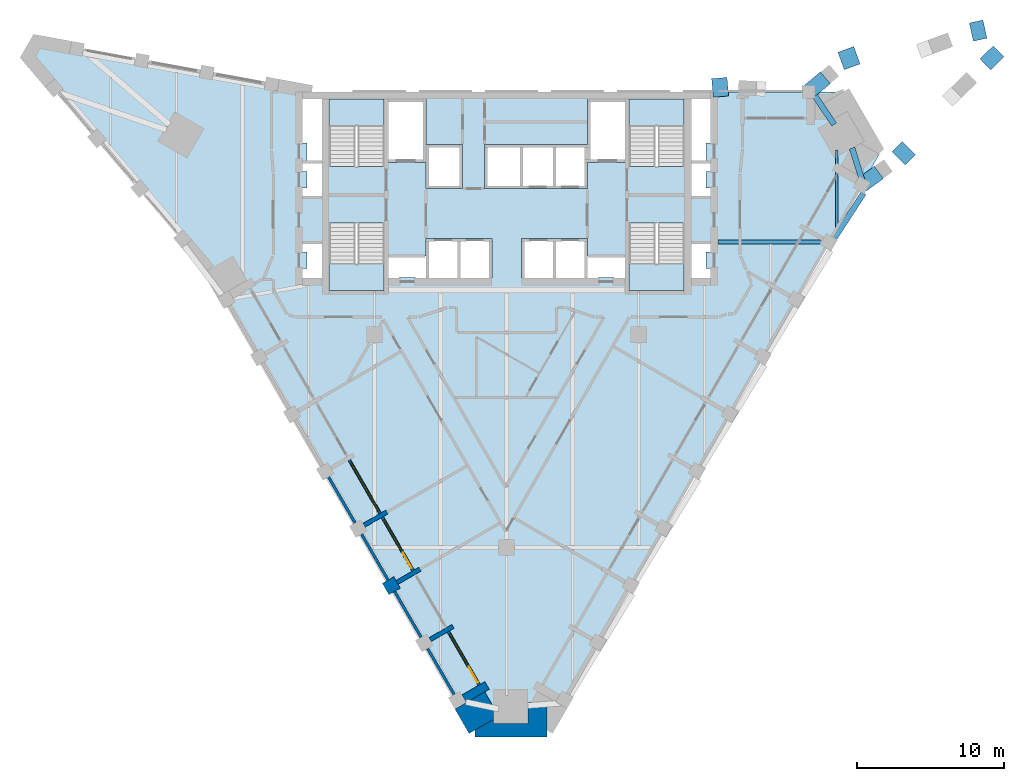
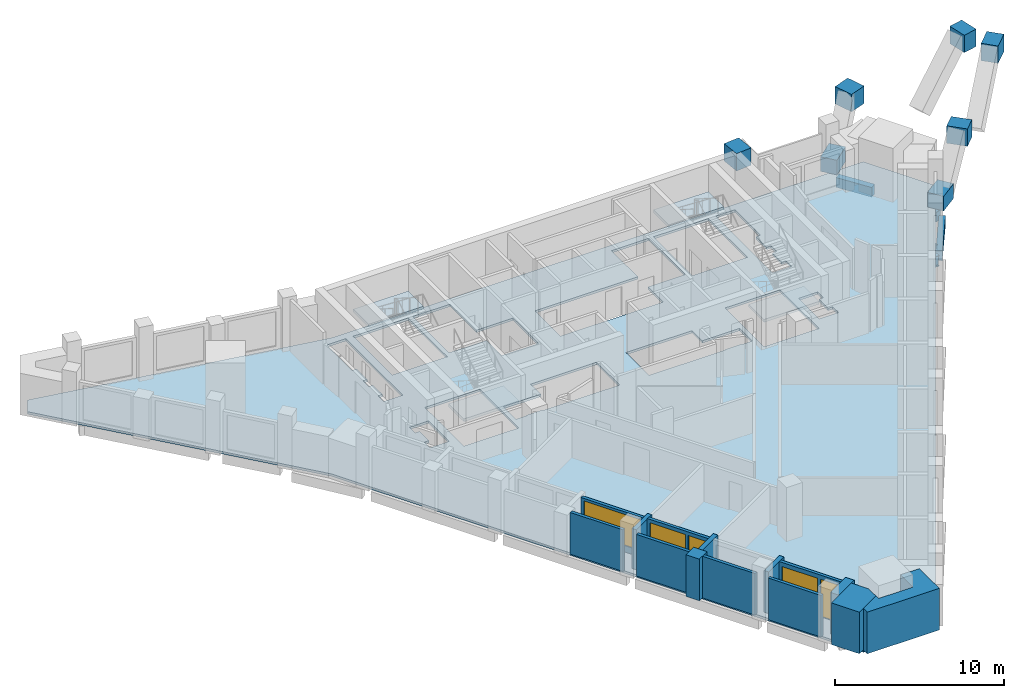
# One storey, part 2 of 9: 14 walls, 12 beams, 5 slabs, 3 windows, 2 doors, 5 openings, 4 elements without a shape of their own.
"""IFC4 building model written with IfcOpenShell, lengths in metres."""

from ifc_helpers import new_model, si_unit, direction, frame, frame_2d, origin, origin_2d, place, context, subcontext, project, spatial, polyline, rectangle, i_section, outline, extrude, material, layer, layer_set, material_profile, profile_set, type_object, element, fill, aggregate, save


model = new_model("IFC4")

# Units and contexts
model_context = context("Model", 3, precision=1e-05, world=origin(), true_north=direction((0.0, 1.0)))
body_context = subcontext(model_context, "Body", "Model", "MODEL_VIEW")
ifc_project = project(units=[si_unit("LENGTHUNIT", "METRE"), si_unit("AREAUNIT", "SQUARE_METRE"), si_unit("VOLUMEUNIT", "CUBIC_METRE"), si_unit("PLANEANGLEUNIT", "RADIAN"), si_unit("MASSUNIT", "GRAM", prefix="KILO")], contexts=[model_context])

# Site, building, storey
site_placement = place(None, origin())
site = spatial("IfcSite", under=ifc_project, at=site_placement, CompositionType="ELEMENT")
building_placement = place(site_placement, origin())
building = spatial("IfcBuilding", under=site, at=building_placement, Name="Calabash Gate Tower", CompositionType="ELEMENT")
storey_placement = place(building_placement, frame((0.0, 0.0, 239.300048828125)))
storey = spatial("IfcBuildingStorey", under=building, at=storey_placement, Name="L57", CompositionType="ELEMENT", Elevation=239.300048828125)

# Beams
ifc_material_1 = material(Name="Concrete C50/60", Category="concrete")
ifc_material_profile_1 = material_profile(ifc_material_1, rectangle(XDim=0.39990234375, YDim=0.699951171875, at=origin_2d()))
ifc_profile_set_1 = profile_set([ifc_material_profile_1], Name="Concrete C50/60")
beam_type_1 = type_object("IfcBeamType", Name="Edge beam RC 400x700 Concrete C50/60", PredefinedType="BEAM", material=ifc_profile_set_1)
beam_1_placement = place(storey_placement, frame((22.333984375, 9.0830078125, -0.52001953125), z_axis=(0.544917784285, 0.838489480178, 0.0), x_axis=(-0.838489480178, 0.544917784285, 0.0)))
element("IfcBeam", 1, at=beam_1_placement, inside=storey, type_object=beam_type_1, Name="Edge beam L57 10", PredefinedType="BEAM", context=body_context, shape_type="SweptSolid", body=[
    extrude(rectangle(XDim=0.39990234375, YDim=0.699951171875, at=origin_2d()), origin(), (0.0, 0.0, 1.0), 3.6484375),
])
beam_2_placement = place(storey_placement, frame((24.341064453125, 12.64892578125, -0.52001953125), z_axis=(-0.294620568373, 0.955614315868, 0.0), x_axis=(-0.955614315868, -0.294620568373, 0.0)))
element("IfcBeam", 2, at=beam_2_placement, inside=storey, type_object=beam_type_1, Name="Edge beam L57 11", PredefinedType="BEAM", context=body_context, shape_type="SweptSolid", body=[
    extrude(rectangle(XDim=0.39990234375, YDim=0.699951171875, at=origin_2d()), origin(), (0.0, 0.0, 1.0), 2.69482421875),
])
beam_3_placement = place(storey_placement, frame((22.325927734375, 16.821044921875, -0.52001953125), z_axis=(-0.556658779258, 0.830741237375, 0.0), x_axis=(-0.830741237375, -0.556658779258, 0.0)))
element("IfcBeam", 3, at=beam_3_placement, inside=storey, type_object=beam_type_1, Name="Edge beam L57 12", PredefinedType="BEAM", context=body_context, shape_type="SweptSolid", body=[
    extrude(rectangle(XDim=0.39990234375, YDim=0.699951171875, at=origin_2d()), origin(), (0.0, 0.0, 1.0), 2.35693359375),
])
ifc_material_2 = material(Name="Steel ASTM A992 Gr50", Category="steel")
ifc_material_profile_2 = material_profile(ifc_material_2, i_section(OverallWidth=0.1396484375, OverallDepth=0.398681640625, WebThickness=0.00634765625, FlangeThickness=0.0087890625, FilletRadius=0.01025390625, at=origin_2d()))
ifc_profile_set_2 = profile_set([ifc_material_profile_2], Name="Steel ASTM A992 Gr50")
beam_type_2 = type_object("IfcBeamType", Name="Floor beam W16x26 ASTM A992 Gr50", PredefinedType="BEAM", material=ifc_profile_set_2)
beam_4_placement = place(storey_placement, frame((22.5, 9.679931640625, -0.369140625), z_axis=(0.0, 1.0, 0.0), x_axis=(-1.0, 0.0, 0.0)))
element("IfcBeam", 4, at=beam_4_placement, inside=storey, type_object=beam_type_2, Name="Floor beam L57 19", PredefinedType="BEAM", context=body_context, shape_type="SweptSolid", body=[
    extrude(i_section(OverallWidth=0.1396484375, OverallDepth=0.398681640625, WebThickness=0.00634765625, FlangeThickness=0.0087890625, FilletRadius=0.01025390625, at=origin_2d()), origin(), (0.0, 0.0, 1.0), 5.4111328125),
])
ifc_material_3 = material(Name="Steel ASTM A992 Gr50", Category="steel")
ifc_material_profile_3 = material_profile(ifc_material_3, i_section(OverallWidth=0.2666015625, OverallDepth=0.77978515625, WebThickness=0.0166015625, FlangeThickness=0.030029296875, FilletRadius=0.0166015625, at=origin_2d()))
ifc_profile_set_3 = profile_set([ifc_material_profile_3], Name="Steel ASTM A992 Gr50")
beam_type_3 = type_object("IfcBeamType", Name="Girder W30x148 ASTM A992 Gr50", PredefinedType="BEAM", material=ifc_profile_set_3)
beam_5_placement = place(storey_placement, frame((22.1279296875, 8.81201171875, -0.56005859375), z_axis=(-1.0, 0.0, 0.0), x_axis=(0.0, -1.0, 0.0)))
element("IfcBeam", 5, at=beam_5_placement, inside=storey, type_object=beam_type_3, Name="Girder L57 3", PredefinedType="BEAM", context=body_context, shape_type="SweptSolid", body=[
    extrude(i_section(OverallWidth=0.2666015625, OverallDepth=0.77978515625, WebThickness=0.0166015625, FlangeThickness=0.030029296875, FilletRadius=0.0166015625, at=origin_2d()), origin(), (0.0, 0.0, 1.0), 7.72802734375),
])
ifc_material_4 = material(Name="Concrete C80/95", Category="concrete")
ifc_material_profile_4 = material_profile(ifc_material_4, rectangle(XDim=1.0, YDim=1.25, at=origin_2d()))
ifc_profile_set_4 = profile_set([ifc_material_profile_4], Name="Concrete C80/95")
beam_type_4 = type_object("IfcBeamType", Name="Transfer node RC 1000x1250 Concrete C80/95", PredefinedType="BEAM", material=ifc_profile_set_4)
beam_6_placement = place(storey_placement, frame((27.511962890625, 14.41796875, 3.27685546875), z_axis=(-0.706722379651, 0.707490973865, 0.0), x_axis=(-0.707490973865, -0.706722379651, 0.0)))
element("IfcBeam", 6, at=beam_6_placement, inside=storey, type_object=beam_type_4, Name="Transfer node L58 prow head P36", PredefinedType="BEAM", context=body_context, shape_type="SweptSolid", body=[
    extrude(rectangle(XDim=1.0, YDim=1.25, at=origin_2d()), origin(), (0.0, 0.0, 1.0), 1.2705078125),
])
ifc_material_5 = material(Name="Concrete C80/95", Category="concrete")
ifc_material_profile_5 = material_profile(ifc_material_5, rectangle(XDim=1.050048828125, YDim=1.050048828125, at=origin_2d()))
ifc_profile_set_5 = profile_set([ifc_material_profile_5], Name="Concrete C80/95")
beam_type_5 = type_object("IfcBeamType", Name="Transfer node RC 1050x1050 Concrete C80/95", PredefinedType="BEAM", material=ifc_profile_set_5)
beam_7_placement = place(storey_placement, frame((24.196044921875, 12.708984375, 0.52685546875), z_axis=(0.808401219161, 0.588631861912, 0.0), x_axis=(-0.588631861912, 0.808401219161, 0.0)))
element("IfcBeam", 7, at=beam_7_placement, inside=storey, type_object=beam_type_5, Name="Transfer node L58 prow foot P36", PredefinedType="BEAM", context=body_context, shape_type="SweptSolid", body=[
    extrude(rectangle(XDim=1.050048828125, YDim=1.050048828125, at=origin_2d()), origin(), (0.0, 0.0, 1.0), 1.450927734375),
])
beam_8_placement = place(storey_placement, frame((20.576904296875, 19.052978515625, 0.52685546875), z_axis=(0.767243393597, 0.641356043849, 0.0), x_axis=(-0.641356043849, 0.767243393597, 0.0)))
element("IfcBeam", 8, at=beam_8_placement, inside=storey, type_object=beam_type_5, Name="Transfer node L58 prow foot P39", PredefinedType="BEAM", context=body_context, shape_type="SweptSolid", body=[
    extrude(rectangle(XDim=1.050048828125, YDim=1.050048828125, at=origin_2d()), origin(), (0.0, 0.0, 1.0), 1.495361328125),
])
ifc_material_6 = material(Name="Concrete C80/95", Category="concrete")
ifc_material_profile_6 = material_profile(ifc_material_6, rectangle(XDim=1.050048828125, YDim=1.25, at=origin_2d()))
ifc_profile_set_6 = profile_set([ifc_material_profile_6], Name="Concrete C80/95")
beam_type_6 = type_object("IfcBeamType", Name="Transfer node RC 1050x1250 Concrete C80/95", PredefinedType="BEAM", material=ifc_profile_set_6)
beam_9_placement = place(storey_placement, frame((32.623046875, 20.927001953125, 3.27685546875), z_axis=(0.716089063457, 0.698008920571, 0.0), x_axis=(-0.698008920571, 0.716089063457, 0.0)))
element("IfcBeam", 9, at=beam_9_placement, inside=storey, type_object=beam_type_6, Name="Transfer node L58 prow head P37", PredefinedType="BEAM", context=body_context, shape_type="SweptSolid", body=[
    extrude(rectangle(XDim=1.050048828125, YDim=1.25, at=origin_2d()), origin(), (0.0, 0.0, 1.0), 1.269287109375),
])
beam_10_placement = place(storey_placement, frame((14.60693359375, 18.72705078125, 3.27685546875), z_axis=(-0.089010271735, 0.996030708124, 0.0), x_axis=(-0.996030708124, -0.089010271735, 0.0)))
element("IfcBeam", 10, at=beam_10_placement, inside=storey, type_object=beam_type_6, Name="Transfer node L58 prow head P40", PredefinedType="BEAM", context=body_context, shape_type="SweptSolid", body=[
    extrude(rectangle(XDim=1.050048828125, YDim=1.25, at=origin_2d()), origin(), (0.0, 0.0, 1.0), 1.27001953125),
])
ifc_material_7 = material(Name="Concrete C80/95", Category="concrete")
ifc_material_profile_7 = material_profile(ifc_material_7, rectangle(XDim=1.14990234375, YDim=1.25, at=origin_2d()))
ifc_profile_set_7 = profile_set([ifc_material_profile_7], Name="Concrete C80/95")
beam_type_7 = type_object("IfcBeamType", Name="Transfer node RC 1150x1250 Concrete C80/95", PredefinedType="BEAM", material=ifc_profile_set_7)
beam_11_placement = place(storey_placement, frame((23.552001953125, 20.756103515625, 3.27685546875), z_axis=(-0.341959247603, 0.939714782782, 0.0), x_axis=(-0.939714782782, -0.341959247603, 0.0)))
element("IfcBeam", 11, at=beam_11_placement, inside=storey, type_object=beam_type_7, Name="Transfer node L58 prow head P39", PredefinedType="BEAM", context=body_context, shape_type="SweptSolid", body=[
    extrude(rectangle(XDim=1.14990234375, YDim=1.25, at=origin_2d()), origin(), (0.0, 0.0, 1.0), 1.269287109375),
])
ifc_material_8 = material(Name="Concrete C80/95", Category="concrete")
ifc_material_profile_8 = material_profile(ifc_material_8, rectangle(XDim=0.949951171875, YDim=1.25, at=origin_2d()))
ifc_profile_set_8 = profile_set([ifc_material_profile_8], Name="Concrete C80/95")
beam_type_8 = type_object("IfcBeamType", Name="Transfer node RC 950x1250 Concrete C80/95", PredefinedType="BEAM", material=ifc_profile_set_8)
beam_12_placement = place(storey_placement, frame((32.0, 23.847900390625, 3.27685546875), z_axis=(0.215547050425, -0.976493455714, 0.0), x_axis=(0.976493455714, 0.215547050425, 0.0)))
element("IfcBeam", 12, at=beam_12_placement, inside=storey, type_object=beam_type_8, Name="Transfer node L58 prow head P38", PredefinedType="BEAM", context=body_context, shape_type="SweptSolid", body=[
    extrude(rectangle(XDim=0.949951171875, YDim=1.25, at=origin_2d()), origin(), (0.0, 0.0, 1.0), 1.270751953125),
])

# Slab
ifc_material_9 = material(Name="Concrete C40/50", Category="concrete")
ifc_layer_1 = layer(ifc_material_9, 0.169921875)
ifc_layer_set_1 = layer_set([ifc_layer_1], Name="Composite floor slab 170 Concrete C40/50")
slab_type_1 = type_object("IfcSlabType", Name="Composite floor slab 170 Concrete C40/50", PredefinedType="FLOOR", material=ifc_layer_set_1)
slab_1_placement = place(storey_placement, frame((0.0, 0.0, -0.170166015625)))
element("IfcSlab", 13, at=slab_1_placement, inside=storey, type_object=slab_type_1, Name="Floor slab L57", PredefinedType="FLOOR", context=body_context, shape_type="SweptSolid", body=[
    extrude(outline(polyline([(2.740478515625, -24.452880859375), (-2.173095703125, -24.452880859375), (-20.291015625, 6.92822265625), (-32.620361328125, 21.43115234375), (-32.015625, 22.478515625), (-13.291015625, 19.052490234375), (22.94482421875, 19.052490234375), (25.401611328125, 14.79736328125), (2.740478515625, -24.452880859375)]), holes=[polyline([(-7.324951171875, 6.3525390625), (-7.324951171875, 6.402587890625), (-6.22509765625, 6.402587890625), (-6.22509765625, 6.3525390625), (-5.5, 6.3525390625), (-3.25, 6.3525390625), (-1.0, 6.3525390625), (-1.0, 9.052490234375), (-3.25, 9.052490234375), (-5.5, 9.052490234375), (-5.5, 7.8525390625), (-8.050048828125, 7.8525390625), (-8.050048828125, 6.3525390625), (-7.324951171875, 6.3525390625)]), polyline([(8.050048828125, 6.3525390625), (8.050048828125, 7.8525390625), (5.5, 7.8525390625), (5.5, 9.052490234375), (3.25, 9.052490234375), (1.0, 9.052490234375), (1.0, 6.3525390625), (3.25, 6.3525390625), (5.5, 6.3525390625), (6.22509765625, 6.3525390625), (6.22509765625, 6.402587890625), (7.324951171875, 6.402587890625), (7.324951171875, 6.3525390625), (8.050048828125, 6.3525390625)]), polyline([(-8.050048828125, 18.552490234375), (-8.050048828125, 14.252685546875), (-5.5, 14.252685546875), (-5.5, 12.45263671875), (-3.0, 12.45263671875), (-3.0, 15.45263671875), (-5.5, 15.45263671875), (-5.5, 18.552490234375), (-8.050048828125, 18.552490234375)]), polyline([(5.5, 14.252685546875), (8.050048828125, 14.252685546875), (8.050048828125, 18.552490234375), (5.5, 18.552490234375), (5.5, 15.45263671875), (3.25, 15.45263671875), (1.0, 15.45263671875), (-1.5, 15.45263671875), (-1.5, 12.45263671875), (1.0, 12.45263671875), (3.25, 12.45263671875), (5.5, 12.45263671875), (5.5, 14.252685546875)]), polyline([(-12.10009765625, 13.95263671875), (-8.35009765625, 13.95263671875), (-8.35009765625, 18.552490234375), (-12.10009765625, 18.552490234375), (-12.10009765625, 13.95263671875)]), polyline([(-8.35009765625, 5.502685546875), (-8.35009765625, 10.1025390625), (-12.10009765625, 10.1025390625), (-12.10009765625, 5.502685546875), (-8.35009765625, 5.502685546875)]), polyline([(12.10009765625, 18.552490234375), (8.35009765625, 18.552490234375), (8.35009765625, 13.95263671875), (12.10009765625, 13.95263671875), (12.10009765625, 18.552490234375)]), polyline([(8.35009765625, 10.1025390625), (8.35009765625, 5.502685546875), (12.10009765625, 5.502685546875), (12.10009765625, 10.1025390625), (8.35009765625, 10.1025390625)]), polyline([(-13.89990234375, 6.3525390625), (-12.60009765625, 6.3525390625), (-12.60009765625, 8.79248046875), (-13.89990234375, 8.79248046875), (-13.89990234375, 8.12255859375), (-13.60009765625, 8.12255859375), (-13.60009765625, 7.022705078125), (-13.89990234375, 7.022705078125), (-13.89990234375, 6.3525390625)]), polyline([(-13.89990234375, 12.5126953125), (-13.89990234375, 11.842529296875), (-12.60009765625, 11.842529296875), (-12.60009765625, 14.28271484375), (-12.60009765625, 18.552490234375), (-13.89990234375, 18.552490234375), (-13.89990234375, 15.550048828125), (-13.60009765625, 15.550048828125), (-13.60009765625, 14.28271484375), (-13.89990234375, 14.28271484375), (-13.89990234375, 13.612548828125), (-13.60009765625, 13.612548828125), (-13.60009765625, 12.5126953125), (-13.89990234375, 12.5126953125)]), polyline([(13.60009765625, 7.022705078125), (13.60009765625, 8.12255859375), (13.89990234375, 8.12255859375), (13.89990234375, 8.79248046875), (12.60009765625, 8.79248046875), (12.60009765625, 6.3525390625), (13.89990234375, 6.3525390625), (13.89990234375, 7.022705078125), (13.60009765625, 7.022705078125)]), polyline([(13.89990234375, 12.5126953125), (13.60009765625, 12.5126953125), (13.60009765625, 13.612548828125), (13.89990234375, 13.612548828125), (13.89990234375, 14.28271484375), (13.60009765625, 14.28271484375), (13.60009765625, 15.550048828125), (13.89990234375, 15.550048828125), (13.89990234375, 18.552490234375), (12.60009765625, 18.552490234375), (12.60009765625, 14.28271484375), (12.60009765625, 11.842529296875), (13.89990234375, 11.842529296875), (13.89990234375, 12.5126953125)])]), origin(), (0.0, 0.0, 1.0), 0.170166015625),
])

# Stair, slab
ifc_material_10 = material(Name="Concrete C40/50", Category="concrete")
stair_type = type_object("IfcStairType", Name="Exit stair 22 risers of 177.3 mm", PredefinedType="HALF_TURN_STAIR", material=ifc_material_10)
stair_1_placement = place(storey_placement, origin())
stair_1 = element("IfcStair", 14, at=stair_1_placement, inside=storey, type_object=stair_type, Name="L57 Exit stair ST1", PredefinedType="HALF_TURN_STAIR")
ifc_material_11 = material(Name="Concrete C40/50", Category="concrete")
ifc_layer_2 = layer(ifc_material_11, 0.199951171875)
ifc_layer_set_2 = layer_set([ifc_layer_2], Name="Stair landing SL200")
slab_type_2 = type_object("IfcSlabType", Name="Stair landing SL200", PredefinedType="LANDING", material=ifc_layer_set_2)
slab_2_placement = place(storey_placement, frame((0.0, 0.0, 1.75)))
slab_2 = element("IfcSlab", 15, at=slab_2_placement, type_object=slab_type_2, Name="ST1 landing 1", PredefinedType="LANDING", context=body_context, shape_type="SweptSolid", body=[
    extrude(outline(polyline([(-8.35009765625, 16.74267578125), (-8.35009765625, 18.552490234375), (-12.10009765625, 18.552490234375), (-12.10009765625, 16.74267578125), (-8.35009765625, 16.74267578125)])), origin(), (0.0, 0.0, 1.0), 0.199951171875),
])
aggregate(stair_1, [slab_2])

stair_2_placement = place(storey_placement, origin())
stair_2 = element("IfcStair", 16, at=stair_2_placement, inside=storey, type_object=stair_type, Name="L57 Exit stair ST2", PredefinedType="HALF_TURN_STAIR")
slab_3_placement = place(storey_placement, frame((0.0, 0.0, 1.75)))
slab_3 = element("IfcSlab", 17, at=slab_3_placement, type_object=slab_type_2, Name="ST2 landing 1", PredefinedType="LANDING", context=body_context, shape_type="SweptSolid", body=[
    extrude(outline(polyline([(-12.10009765625, 7.3125), (-12.10009765625, 5.502685546875), (-8.35009765625, 5.502685546875), (-8.35009765625, 7.3125), (-12.10009765625, 7.3125)])), origin(), (0.0, 0.0, 1.0), 0.199951171875),
])
aggregate(stair_2, [slab_3])

stair_3_placement = place(storey_placement, origin())
stair_3 = element("IfcStair", 18, at=stair_3_placement, inside=storey, type_object=stair_type, Name="L57 Exit stair ST3", PredefinedType="HALF_TURN_STAIR")
slab_4_placement = place(storey_placement, frame((0.0, 0.0, 1.75)))
slab_4 = element("IfcSlab", 19, at=slab_4_placement, type_object=slab_type_2, Name="ST3 landing 1", PredefinedType="LANDING", context=body_context, shape_type="SweptSolid", body=[
    extrude(outline(polyline([(12.10009765625, 16.74267578125), (12.10009765625, 18.552490234375), (8.35009765625, 18.552490234375), (8.35009765625, 16.74267578125), (12.10009765625, 16.74267578125)])), origin(), (0.0, 0.0, 1.0), 0.199951171875),
])
aggregate(stair_3, [slab_4])

stair_4_placement = place(storey_placement, origin())
stair_4 = element("IfcStair", 20, at=stair_4_placement, inside=storey, type_object=stair_type, Name="L57 Exit stair ST4", PredefinedType="HALF_TURN_STAIR")
slab_5_placement = place(storey_placement, frame((0.0, 0.0, 1.75)))
slab_5 = element("IfcSlab", 21, at=slab_5_placement, type_object=slab_type_2, Name="ST4 landing 1", PredefinedType="LANDING", context=body_context, shape_type="SweptSolid", body=[
    extrude(outline(polyline([(8.35009765625, 7.3125), (8.35009765625, 5.502685546875), (12.10009765625, 5.502685546875), (12.10009765625, 7.3125), (8.35009765625, 7.3125)])), origin(), (0.0, 0.0, 1.0), 0.199951171875),
])
aggregate(stair_4, [slab_5])

# Walls
ifc_material_12 = material(Name="Terracotta brick masonry, exposed face", Category="masonry")
ifc_layer_3 = layer(ifc_material_12, 2.35009765625)
ifc_layer_set_3 = layer_set([ifc_layer_3], Name="Brick corner mass wall 2350")
wall_type_1 = type_object("IfcWallType", Name="Brick corner mass wall 2350", PredefinedType="SOLIDWALL", material=ifc_layer_set_3)
wall_1_placement = place(storey_placement, origin())
element("IfcWall", 22, at=wall_1_placement, inside=storey, type_object=wall_type_1, Name="Brick corner pier S16 2a", PredefinedType="SOLIDWALL", context=body_context, shape_type="SweptSolid", body=[
    extrude(outline(polyline([(-0.89111328125, -22.87353515625), (-1.486572265625, -21.842041015625), (-3.521728515625, -23.01708984375), (-2.562744140625, -24.677978515625), (-0.89111328125, -23.712646484375), (-0.89111328125, -22.87353515625)])), origin(), (0.0, 0.0, 1.0), 3.0),
])
wall_2_placement = place(storey_placement, origin())
element("IfcWall", 23, at=wall_2_placement, inside=storey, type_object=wall_type_1, Name="Brick corner pier S16 2b", PredefinedType="SOLIDWALL", context=body_context, shape_type="SweptSolid", body=[
    extrude(outline(polyline([(1.458984375, -24.011962890625), (-0.89111328125, -24.011962890625), (-0.89111328125, -23.712646484375), (-2.173095703125, -24.452880859375), (-2.173095703125, -24.90283203125), (2.740478515625, -24.90283203125), (2.740478515625, -22.552978515625), (1.458984375, -22.552978515625), (1.458984375, -24.011962890625)])), origin(), (0.0, 0.0, 1.0), 3.0),
])
ifc_material_13 = material(Name="Terracotta brick masonry, exposed face", Category="masonry")
ifc_layer_4 = layer(ifc_material_13, 0.89990234375)
ifc_layer_set_4 = layer_set([ifc_layer_4], Name="Brick end wall 900")
wall_type_2 = type_object("IfcWallType", Name="Brick end wall 900", PredefinedType="SOLIDWALL", material=ifc_layer_set_4)
wall_3_placement = place(storey_placement, frame((-7.46728515625, -14.383056640625, 0.0), z_axis=(0.0, 0.0, 1.0), x_axis=(-0.866013897511, -0.50001992892, 0.0)))
element("IfcWall", 24, at=wall_3_placement, inside=storey, type_object=wall_type_2, Name="Brick pier S16 SW0.5", PredefinedType="SOLIDWALL", context=body_context, shape_type="SweptSolid", body=[
    extrude(rectangle(XDim=0.89990234375, YDim=0.89990234375, at=frame_2d((0.449951171875, 0.0))), origin(), (0.0, 0.0, 1.0), 3.0),
])
ifc_material_14 = material(Name="Terracotta brick masonry, exposed face", Category="masonry")
ifc_layer_5 = layer(ifc_material_14, 0.300048828125)
ifc_layer_set_5 = layer_set([ifc_layer_5], Name="Brick loggia cheek wall 300")
wall_type_3 = type_object("IfcWallType", Name="Brick loggia cheek wall 300", PredefinedType="SOLIDWALL", material=ifc_layer_set_5)
wall_4_placement = place(storey_placement, frame((-9.71728515625, -10.48583984375, 0.0), z_axis=(0.0, 0.0, 1.0), x_axis=(0.866047807691, 0.499961193289, 0.0)))
element("IfcWall", 25, at=wall_4_placement, inside=storey, type_object=wall_type_3, Name="Loggia cheek S16 SW0.4", PredefinedType="SOLIDWALL", context=body_context, shape_type="SweptSolid", body=[
    extrude(rectangle(XDim=1.800048828125, YDim=0.300048828125, at=frame_2d((0.89990234375, 0.0))), origin(), (0.0, 0.0, 1.0), 2.884033203125),
])
wall_5_placement = place(storey_placement, frame((-7.46728515625, -14.383056640625, 0.0), z_axis=(0.0, 0.0, 1.0), x_axis=(0.865989075817, 0.500062916607, 0.0)))
element("IfcWall", 26, at=wall_5_placement, inside=storey, type_object=wall_type_3, Name="Loggia cheek S16 SW0.5", PredefinedType="SOLIDWALL", context=body_context, shape_type="SweptSolid", body=[
    extrude(rectangle(XDim=1.800048828125, YDim=0.300048828125, at=frame_2d((0.89990234375, 0.0))), origin(), (0.0, 0.0, 1.0), 3.0),
])
wall_6_placement = place(storey_placement, frame((-3.658447265625, -17.380126953125, 0.0), z_axis=(0.0, 0.0, 1.0), x_axis=(-0.866029639064, -0.499992664208, 0.0)))
element("IfcWall", 27, at=wall_6_placement, inside=storey, type_object=wall_type_3, Name="Loggia cheek S16 SW0.6", PredefinedType="SOLIDWALL", context=body_context, shape_type="SweptSolid", body=[
    extrude(rectangle(XDim=1.798828125, YDim=0.300048828125, at=frame_2d((0.8994140625, 0.0))), origin(), (0.0, 0.0, 1.0), 3.0),
])
wall_7_placement = place(storey_placement, frame((-1.33349609375, -21.4072265625, 0.0), z_axis=(0.0, 0.0, 1.0), x_axis=(-0.866047807691, -0.499961193289, 0.0)))
element("IfcWall", 28, at=wall_7_placement, inside=storey, type_object=wall_type_3, Name="Loggia cheek S16 SW0.7", PredefinedType="SOLIDWALL", context=body_context, shape_type="SweptSolid", body=[
    extrude(rectangle(XDim=1.800048828125, YDim=0.60009765625, at=frame_2d((0.89990234375, 0.0))), origin(), (0.0, 0.0, 1.0), 3.0),
])
ifc_material_15 = material(Name="Terracotta brick masonry, perforated", Category="masonry")
ifc_layer_6 = layer(ifc_material_15, 0.199951171875)
ifc_layer_set_6 = layer_set([ifc_layer_6], Name="Terracotta jaali screen B")
wall_type_4 = type_object("IfcWallType", Name="Terracotta jaali screen B", PredefinedType="SOLIDWALL", material=ifc_layer_set_6)
for number, where, z_axis, x_axis, name in (
    (29, (-12.132080078125, -7.20361328125, 0.0), (0.0, 0.0, 1.0), (0.500012057535, -0.866018442252, 0.0), "SCREEN B S16 SW0.4"),
    (30, (-9.882080078125, -11.1005859375, 0.0), (0.0, 0.0, 1.0), (0.500012057535, -0.866018442252, 0.0), "SCREEN B S16 SW0.5"),
):
    element("IfcWall", number, at=place(storey_placement, frame(where, z_axis=z_axis, x_axis=x_axis)), inside=storey, type_object=wall_type_4, Name=name, PredefinedType="SOLIDWALL", context=body_context, shape_type="SweptSolid", body=[
        extrude(rectangle(XDim=3.60009765625, YDim=0.199951171875, at=frame_2d((1.800048828125, 0.0))), origin(), (0.0, 0.0, 1.0), 3.0),
    ])
wall_8_placement = place(storey_placement, origin())
element("IfcWall", 31, at=wall_8_placement, inside=storey, type_object=wall_type_4, Name="SCREEN B S16 SW0.6", PredefinedType="SOLIDWALL", context=body_context, shape_type="SweptSolid", body=[
    extrude(outline(polyline([(-7.718505859375, -15.0478515625), (-5.91943359375, -18.163818359375), (-5.746337890625, -18.063720703125), (-7.54541015625, -14.94775390625), (-7.718505859375, -15.0478515625)])), origin(), (0.0, 0.0, 1.0), 3.0),
])
wall_9_placement = place(storey_placement, frame((-5.382080078125, -18.894775390625, 0.0), z_axis=(0.0, 0.0, 1.0), x_axis=(0.500012057535, -0.866018442252, 0.0)))
element("IfcWall", 32, at=wall_9_placement, inside=storey, type_object=wall_type_4, Name="SCREEN B S16 SW0.7", PredefinedType="SOLIDWALL", context=body_context, shape_type="SweptSolid", body=[
    extrude(rectangle(XDim=3.60009765625, YDim=0.199951171875, at=frame_2d((1.800048828125, 0.0))), origin(), (0.0, 0.0, 1.0), 3.0),
])

# Wall, opening, window
ifc_material_16 = material(Name="Aluminium framed window wall with insulated spandrel", Category="aluminium")
ifc_layer_7 = layer(ifc_material_16, 0.199951171875)
ifc_layer_set_7 = layer_set([ifc_layer_7], Name="Window wall 200")
wall_type_5 = type_object("IfcWallType", Name="Window wall 200", PredefinedType="ELEMENTEDWALL", material=ifc_layer_set_7)
wall_10_placement = place(storey_placement, frame((-10.72314453125, -6.043701171875, 0.0), z_axis=(0.0, 0.0, 1.0), x_axis=(0.500027713859, -0.866009402589, 0.0)))
wall_10 = element("IfcWall", 33, at=wall_10_placement, inside=storey, type_object=wall_type_5, Name="Window wall S16 SW0.4", PredefinedType="ELEMENTEDWALL", context=body_context, shape_type="SweptSolid", body=[
    extrude(rectangle(XDim=4.199951171875, YDim=0.199951171875, at=frame_2d((2.10009765625, 0.0))), origin(), (0.0, 0.0, 1.0), 2.884033203125),
])
opening_1_placement = place(wall_10_placement, frame((0.199951171875, 0.0, 0.449951171875)))
opening_1 = element("IfcOpeningElement", 34, at=opening_1_placement, cuts=wall_10, Name="Opening OW2", PredefinedType="OPENING", context=body_context, shape_type="SweptSolid", body=[
    extrude(rectangle(XDim=3.800048828125, YDim=2.25, at=frame_2d((1.89990234375, 1.125))), frame((0.0, 0.10986328125, 0.0), z_axis=(0.0, -1.0, 0.0), x_axis=(1.0, 0.0, 0.0)), (0.0, 0.0, 1.0), 0.219970703125),
])
ifc_material_17 = material(Name="Anodised aluminium frame, bronze finish, impact-rated laminated clear glazing", Category="aluminium")
window_type_1 = type_object("IfcWindowType", Name="Window OW2 3800x2250", PartitioningType="TRIPLE_PANEL_VERTICAL", PredefinedType="WINDOW", material=ifc_material_17)
window_1_placement = place(opening_1_placement, origin())
window_1 = element("IfcWindow", 35, at=window_1_placement, inside=storey, type_object=window_type_1, Name="Window OW2 S16 SW0.4", OverallHeight=2.25, OverallWidth=3.800048828125, PartitioningType="SINGLE_PANEL", PredefinedType="WINDOW", context=body_context, shape_type="SweptSolid", body=[
    extrude(rectangle(XDim=3.800048828125, YDim=2.25, at=frame_2d((1.89990234375, 1.125))), frame((0.0, 0.030029296875, 0.0), z_axis=(0.0, -1.0, 0.0), x_axis=(1.0, 0.0, 0.0)), (0.0, 0.0, 1.0), 0.06005859375),
])
fill(opening_1, window_1)

# Wall, openings, door, window
wall_11_placement = place(storey_placement, frame((-8.47314453125, -9.94091796875, 0.0), z_axis=(0.0, 0.0, 1.0), x_axis=(0.500027713859, -0.866009402589, 0.0)))
wall_11 = element("IfcWall", 36, at=wall_11_placement, inside=storey, type_object=wall_type_5, Name="Window wall S16 SW0.5", PredefinedType="ELEMENTEDWALL", context=body_context, shape_type="SweptSolid", body=[
    extrude(rectangle(XDim=4.199951171875, YDim=0.199951171875, at=frame_2d((2.10009765625, 0.0))), origin(), (0.0, 0.0, 1.0), 2.949951171875),
])
opening_2_placement = place(wall_11_placement, frame((0.199951171875, 0.0, 0.449951171875)))
opening_2 = element("IfcOpeningElement", 37, at=opening_2_placement, cuts=wall_11, Name="Opening OW1", PredefinedType="OPENING", context=body_context, shape_type="SweptSolid", body=[
    extrude(rectangle(XDim=2.39990234375, YDim=2.25, at=frame_2d((1.199951171875, 1.125))), frame((0.0, 0.10986328125, 0.0), z_axis=(0.0, -1.0, 0.0), x_axis=(1.0, 0.0, 0.0)), (0.0, 0.0, 1.0), 0.219970703125),
])
opening_3_placement = place(wall_11_placement, frame((2.800048828125, 0.0, 0.0)))
opening_3 = element("IfcOpeningElement", 38, at=opening_3_placement, cuts=wall_11, Name="Opening O8-028", PredefinedType="OPENING", context=body_context, shape_type="SweptSolid", body=[
    extrude(rectangle(XDim=1.199951171875, YDim=2.699951171875, at=frame_2d((0.60009765625, 1.35009765625))), frame((0.0, 0.10986328125, 0.0), z_axis=(0.0, -1.0, 0.0), x_axis=(1.0, 0.0, 0.0)), (0.0, 0.0, 1.0), 0.219970703125),
])
ifc_material_18 = material(Name="Anodised aluminium frame, bronze finish, impact-rated laminated clear glazing", Category="aluminium")
door_type = type_object("IfcDoorType", Name="Loggia door DO1 1200x2700", OperationType="SLIDING_TO_LEFT", PredefinedType="DOOR", material=ifc_material_18)
door_1_placement = place(opening_3_placement, origin())
door_1 = element("IfcDoor", 39, at=door_1_placement, inside=storey, type_object=door_type, Name="Loggia door S16 SW0.5", OperationType="SINGLE_SWING_LEFT", OverallHeight=2.699951171875, OverallWidth=1.199951171875, PredefinedType="DOOR", context=body_context, shape_type="SweptSolid", body=[
    extrude(rectangle(XDim=1.199951171875, YDim=2.699951171875, at=frame_2d((0.60009765625, 1.35009765625))), frame((0.0, 0.02490234375, 0.0), z_axis=(0.0, -1.0, 0.0), x_axis=(1.0, 0.0, 0.0)), (0.0, 0.0, 1.0), 0.050048828125),
])
fill(opening_3, door_1)
ifc_material_19 = material(Name="Anodised aluminium frame, bronze finish, impact-rated laminated clear glazing", Category="aluminium")
window_type_2 = type_object("IfcWindowType", Name="Window OW1 2400x2250", PartitioningType="DOUBLE_PANEL_VERTICAL", PredefinedType="WINDOW", material=ifc_material_19)
window_2_placement = place(opening_2_placement, origin())
window_2 = element("IfcWindow", 40, at=window_2_placement, inside=storey, type_object=window_type_2, Name="Window OW1 S16 SW0.5", OverallHeight=2.25, OverallWidth=2.39990234375, PartitioningType="SINGLE_PANEL", PredefinedType="WINDOW", context=body_context, shape_type="SweptSolid", body=[
    extrude(rectangle(XDim=2.39990234375, YDim=2.25, at=frame_2d((1.199951171875, 1.125))), frame((0.0, 0.030029296875, 0.0), z_axis=(0.0, -1.0, 0.0), x_axis=(1.0, 0.0, 0.0)), (0.0, 0.0, 1.0), 0.06005859375),
])
fill(opening_2, window_2)

wall_12_placement = place(storey_placement, frame((-3.97314453125, -17.735107421875, 0.0), z_axis=(0.0, 0.0, 1.0), x_axis=(0.500027713859, -0.866009402589, 0.0)))
wall_12 = element("IfcWall", 41, at=wall_12_placement, inside=storey, type_object=wall_type_5, Name="Window wall S16 SW0.7", PredefinedType="ELEMENTEDWALL", context=body_context, shape_type="SweptSolid", body=[
    extrude(rectangle(XDim=4.199951171875, YDim=0.199951171875, at=frame_2d((2.10009765625, 0.0))), origin(), (0.0, 0.0, 1.0), 3.0),
])
opening_4_placement = place(wall_12_placement, frame((0.199951171875, 0.0, 0.449951171875)))
opening_4 = element("IfcOpeningElement", 42, at=opening_4_placement, cuts=wall_12, Name="Opening OW1", PredefinedType="OPENING", context=body_context, shape_type="SweptSolid", body=[
    extrude(rectangle(XDim=2.39990234375, YDim=2.25, at=frame_2d((1.199951171875, 1.125))), frame((0.0, 0.10986328125, 0.0), z_axis=(0.0, -1.0, 0.0), x_axis=(1.0, 0.0, 0.0)), (0.0, 0.0, 1.0), 0.219970703125),
])
opening_5_placement = place(wall_12_placement, frame((2.800048828125, 0.0, 0.0)))
opening_5 = element("IfcOpeningElement", 43, at=opening_5_placement, cuts=wall_12, Name="Opening O8-029", PredefinedType="OPENING", context=body_context, shape_type="SweptSolid", body=[
    extrude(rectangle(XDim=1.199951171875, YDim=2.699951171875, at=frame_2d((0.60009765625, 1.35009765625))), frame((0.0, 0.10986328125, 0.0), z_axis=(0.0, -1.0, 0.0), x_axis=(1.0, 0.0, 0.0)), (0.0, 0.0, 1.0), 0.219970703125),
])
door_2_placement = place(opening_5_placement, origin())
door_2 = element("IfcDoor", 44, at=door_2_placement, inside=storey, type_object=door_type, Name="Loggia door S16 SW0.7", OperationType="SINGLE_SWING_LEFT", OverallHeight=2.699951171875, OverallWidth=1.199951171875, PredefinedType="DOOR", context=body_context, shape_type="SweptSolid", body=[
    extrude(rectangle(XDim=1.199951171875, YDim=2.699951171875, at=frame_2d((0.60009765625, 1.35009765625))), frame((0.0, 0.02490234375, 0.0), z_axis=(0.0, -1.0, 0.0), x_axis=(1.0, 0.0, 0.0)), (0.0, 0.0, 1.0), 0.050048828125),
])
fill(opening_5, door_2)
window_3_placement = place(opening_4_placement, origin())
window_3 = element("IfcWindow", 45, at=window_3_placement, inside=storey, type_object=window_type_2, Name="Window OW1 S16 SW0.7", OverallHeight=2.25, OverallWidth=2.39990234375, PartitioningType="SINGLE_PANEL", PredefinedType="WINDOW", context=body_context, shape_type="SweptSolid", body=[
    extrude(rectangle(XDim=2.39990234375, YDim=2.25, at=frame_2d((1.199951171875, 1.125))), frame((0.0, 0.030029296875, 0.0), z_axis=(0.0, -1.0, 0.0), x_axis=(1.0, 0.0, 0.0)), (0.0, 0.0, 1.0), 0.06005859375),
])
fill(opening_4, window_3)

save(model, "model.ifc")
